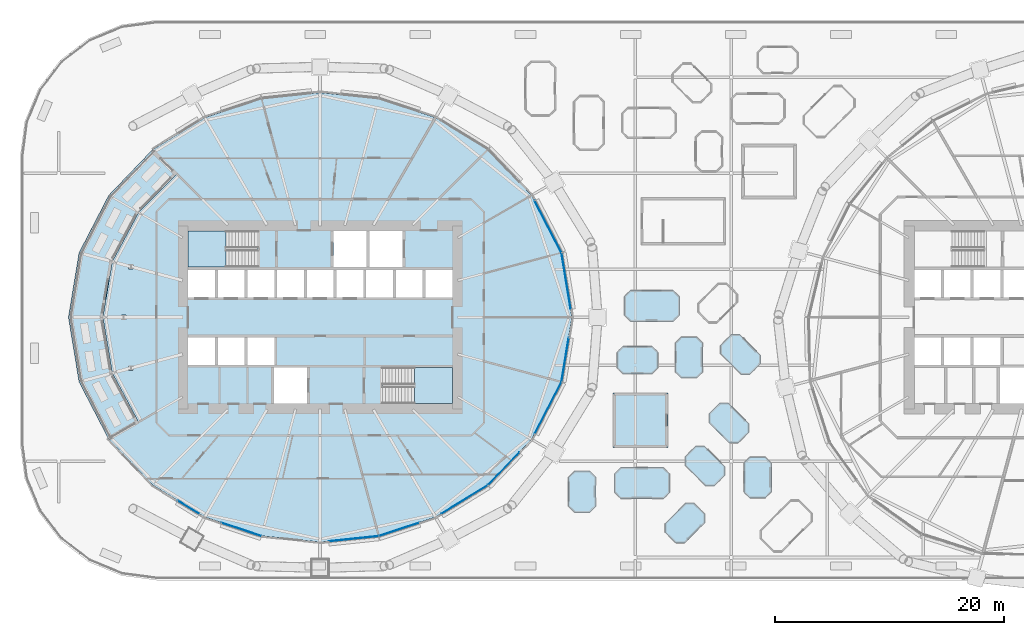
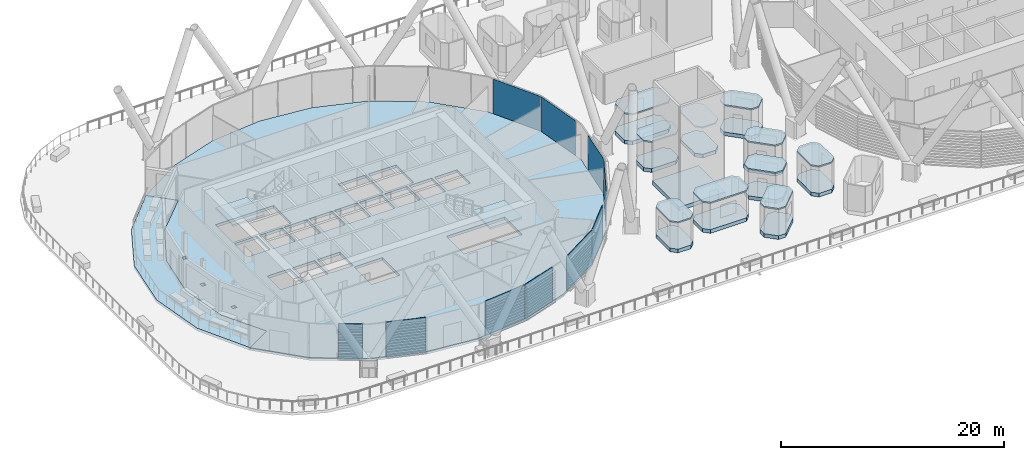
# One storey, part 21 of 47: 25 slabs, 10 plates, 3 elements without a shape of their own.
"""IFC4 building model written with IfcOpenShell, lengths in metres."""

from ifc_helpers import new_model, si_unit, direction, frame, origin, origin_2d, place, context, subcontext, project, spatial, polyline, rectangle, outline, extrude, material, layer, layer_set, type_object, element, aggregate, save


model = new_model("IFC4")

# Units and contexts
model_context = context("Model", 3, precision=1e-05, world=origin(), true_north=direction((0.0, 1.0)))
body_context = subcontext(model_context, "Body", "Model", "MODEL_VIEW")
ifc_project = project(units=[si_unit("LENGTHUNIT", "METRE"), si_unit("AREAUNIT", "SQUARE_METRE"), si_unit("VOLUMEUNIT", "CUBIC_METRE"), si_unit("PLANEANGLEUNIT", "RADIAN"), si_unit("MASSUNIT", "GRAM", prefix="KILO")], contexts=[model_context])

# Site, building, storey
site_placement = place(None, origin())
site = spatial("IfcSite", under=ifc_project, at=site_placement, CompositionType="ELEMENT")
building_placement = place(site_placement, origin())
building = spatial("IfcBuilding", under=site, at=building_placement, Name="Rimbun Link Towers", CompositionType="ELEMENT")
storey_placement = place(building_placement, frame((0.0, 0.0, 30.0)))
storey = spatial("IfcBuildingStorey", under=building, at=storey_placement, Name="L06", CompositionType="ELEMENT", Elevation=30.0)

# Slabs
ifc_material_1 = material(Name="Concrete C40/50", Category="concrete")
ifc_layer_1 = layer(ifc_material_1, 0.409912109375)
ifc_layer_set_1 = layer_set([ifc_layer_1], Name="CAPSULE plinth slab 410")
slab_type_1 = type_object("IfcSlabType", Name="CAPSULE plinth slab 410", PredefinedType="FLOOR", material=ifc_layer_set_1)
slab_1_placement = place(storey_placement, origin())
element("IfcSlab", 1, at=slab_1_placement, inside=storey, type_object=slab_type_1, Name="Service trunk 1 plinth slab", PredefinedType="FLOOR", context=body_context, shape_type="SweptSolid", body=[
    extrude(outline(polyline([(-6.14990234375, -11.39990234375), (-1.35009765625, -11.39990234375), (-1.35009765625, -6.60009765625), (-6.14990234375, -6.60009765625), (-6.14990234375, -11.39990234375)])), origin(), (0.0, 0.0, 1.0), 0.409912109375),
])
slab_2_placement = place(storey_placement, origin())
element("IfcSlab", 2, at=slab_2_placement, inside=storey, type_object=slab_type_1, Name="CAPSULE P01 floor panel", PredefinedType="FLOOR", context=body_context, shape_type="SweptSolid", body=[
    extrude(outline(polyline([(-1.199951171875, -13.67919921875), (-1.729248046875, -13.14990234375), (-5.470703125, -13.14990234375), (-6.0, -13.67919921875), (-6.0, -15.32080078125), (-5.470703125, -15.85009765625), (-1.729248046875, -15.85009765625), (-1.199951171875, -15.32080078125), (-1.199951171875, -13.67919921875)])), origin(), (0.0, 0.0, 1.0), 0.409912109375),
])
slab_3_placement = place(storey_placement, origin())
element("IfcSlab", 3, at=slab_3_placement, inside=storey, type_object=slab_type_1, Name="CAPSULE P02 floor panel", PredefinedType="FLOOR", context=body_context, shape_type="SweptSolid", body=[
    extrude(outline(polyline([(0.948486328125, -16.2529296875), (0.199951171875, -16.2529296875), (-1.59716796875, -18.050048828125), (-1.59716796875, -18.798583984375), (-0.6484375, -19.7470703125), (0.10009765625, -19.7470703125), (1.89697265625, -17.949951171875), (1.89697265625, -17.201416015625), (0.948486328125, -16.2529296875)])), origin(), (0.0, 0.0, 1.0), 0.409912109375),
])
slab_4_placement = place(storey_placement, origin())
element("IfcSlab", 4, at=slab_4_placement, inside=storey, type_object=slab_type_1, Name="CAPSULE P03 floor panel", PredefinedType="FLOOR", context=body_context, shape_type="SweptSolid", body=[
    extrude(outline(polyline([(-9.520751953125, -13.449951171875), (-10.050048828125, -13.979248046875), (-10.050048828125, -16.520751953125), (-9.520751953125, -17.050048828125), (-8.17919921875, -17.050048828125), (-7.64990234375, -16.520751953125), (-7.64990234375, -13.979248046875), (-8.17919921875, -13.449951171875), (-9.520751953125, -13.449951171875)])), origin(), (0.0, 0.0, 1.0), 0.409912109375),
])
slab_5_placement = place(storey_placement, origin())
element("IfcSlab", 5, at=slab_5_placement, inside=storey, type_object=slab_type_1, Name="CAPSULE P04 floor panel", PredefinedType="FLOOR", context=body_context, shape_type="SweptSolid", body=[
    extrude(outline(polyline([(0.15283203125, -12.201416015625), (0.15283203125, -12.949951171875), (1.949951171875, -14.7470703125), (2.698486328125, -14.7470703125), (3.64697265625, -13.798583984375), (3.64697265625, -13.050048828125), (1.85009765625, -11.2529296875), (1.1015625, -11.2529296875), (0.15283203125, -12.201416015625)])), origin(), (0.0, 0.0, 1.0), 0.409912109375),
])
slab_6_placement = place(storey_placement, origin())
element("IfcSlab", 6, at=slab_6_placement, inside=storey, type_object=slab_type_1, Name="CAPSULE P05 floor panel", PredefinedType="FLOOR", context=body_context, shape_type="SweptSolid", body=[
    extrude(outline(polyline([(-0.35009765625, 1.82080078125), (-0.87939453125, 2.35009765625), (-4.62060546875, 2.35009765625), (-5.14990234375, 1.82080078125), (-5.14990234375, 0.17919921875), (-4.62060546875, -0.35009765625), (-0.87939453125, -0.35009765625), (-0.35009765625, 0.17919921875), (-0.35009765625, 1.82080078125)])), origin(), (0.0, 0.0, 1.0), 0.409912109375),
])
slab_7_placement = place(storey_placement, origin())
element("IfcSlab", 7, at=slab_7_placement, inside=storey, type_object=slab_type_1, Name="CAPSULE P06 floor panel", PredefinedType="FLOOR", context=body_context, shape_type="SweptSolid", body=[
    extrude(outline(polyline([(-0.170654296875, -1.699951171875), (-0.699951171875, -2.229248046875), (-0.699951171875, -4.770751953125), (-0.170654296875, -5.300048828125), (1.170654296875, -5.300048828125), (1.699951171875, -4.770751953125), (1.699951171875, -2.229248046875), (1.170654296875, -1.699951171875), (-0.170654296875, -1.699951171875)])), origin(), (0.0, 0.0, 1.0), 0.409912109375),
])
slab_8_placement = place(storey_placement, origin())
element("IfcSlab", 8, at=slab_8_placement, inside=storey, type_object=slab_type_1, Name="CAPSULE P08 floor panel", PredefinedType="FLOOR", context=body_context, shape_type="SweptSolid", body=[
    extrude(outline(polyline([(3.2529296875, -2.451416015625), (3.2529296875, -3.199951171875), (5.050048828125, -4.9970703125), (5.798583984375, -4.9970703125), (6.7470703125, -4.048583984375), (6.7470703125, -3.300048828125), (4.949951171875, -1.5029296875), (4.201416015625, -1.5029296875), (3.2529296875, -2.451416015625)])), origin(), (0.0, 0.0, 1.0), 0.409912109375),
])
slab_9_placement = place(storey_placement, origin())
element("IfcSlab", 9, at=slab_9_placement, inside=storey, type_object=slab_type_1, Name="CAPSULE P11 floor panel", PredefinedType="FLOOR", context=body_context, shape_type="SweptSolid", body=[
    extrude(outline(polyline([(5.829345703125, -12.199951171875), (5.300048828125, -12.729248046875), (5.300048828125, -15.270751953125), (5.829345703125, -15.800048828125), (7.170654296875, -15.800048828125), (7.699951171875, -15.270751953125), (7.699951171875, -12.729248046875), (7.170654296875, -12.199951171875), (5.829345703125, -12.199951171875)])), origin(), (0.0, 0.0, 1.0), 0.409912109375),
])
slab_10_placement = place(storey_placement, origin())
element("IfcSlab", 10, at=slab_10_placement, inside=storey, type_object=slab_type_1, Name="CAPSULE P13 floor panel", PredefinedType="FLOOR", context=body_context, shape_type="SweptSolid", body=[
    extrude(outline(polyline([(2.2529296875, -8.451416015625), (2.2529296875, -9.199951171875), (4.050048828125, -10.9970703125), (4.798583984375, -10.9970703125), (5.7470703125, -10.048583984375), (5.7470703125, -9.300048828125), (3.949951171875, -7.5029296875), (3.201416015625, -7.5029296875), (2.2529296875, -8.451416015625)])), origin(), (0.0, 0.0, 1.0), 0.409912109375),
])
slab_11_placement = place(storey_placement, origin())
element("IfcSlab", 11, at=slab_11_placement, inside=storey, type_object=slab_type_1, Name="CAPSULE P14 floor panel", PredefinedType="FLOOR", context=body_context, shape_type="SweptSolid", body=[
    extrude(outline(polyline([(-2.199951171875, -3.079345703125), (-2.729248046875, -2.550048828125), (-5.270751953125, -2.550048828125), (-5.800048828125, -3.079345703125), (-5.800048828125, -4.420654296875), (-5.270751953125, -4.949951171875), (-2.729248046875, -4.949951171875), (-2.199951171875, -4.420654296875), (-2.199951171875, -3.079345703125)])), origin(), (0.0, 0.0, 1.0), 0.409912109375),
])
ifc_material_2 = material(Name="Insulated metal roof panel with terracotta fascia", Category="masonry")
ifc_layer_2 = layer(ifc_material_2, 0.14990234375)
ifc_layer_set_2 = layer_set([ifc_layer_2], Name="CAPSULE roof panel 150")
slab_type_2 = type_object("IfcSlabType", Name="CAPSULE roof panel 150", PredefinedType="ROOF", material=ifc_layer_set_2)
slab_12_placement = place(storey_placement, frame((0.0, 0.0, 3.260009765625)))
element("IfcSlab", 12, at=slab_12_placement, inside=storey, type_object=slab_type_2, Name="CAPSULE P01 roof panel", PredefinedType="ROOF", context=body_context, shape_type="SweptSolid", body=[
    extrude(outline(polyline([(-1.199951171875, -13.67919921875), (-1.729248046875, -13.14990234375), (-5.470703125, -13.14990234375), (-6.0, -13.67919921875), (-6.0, -15.32080078125), (-5.470703125, -15.85009765625), (-1.729248046875, -15.85009765625), (-1.199951171875, -15.32080078125), (-1.199951171875, -13.67919921875)])), origin(), (0.0, 0.0, 1.0), 0.14990234375),
])
slab_13_placement = place(storey_placement, frame((0.0, 0.0, 3.260009765625)))
element("IfcSlab", 13, at=slab_13_placement, inside=storey, type_object=slab_type_2, Name="CAPSULE P02 roof panel", PredefinedType="ROOF", context=body_context, shape_type="SweptSolid", body=[
    extrude(outline(polyline([(0.948486328125, -16.2529296875), (0.199951171875, -16.2529296875), (-1.59716796875, -18.050048828125), (-1.59716796875, -18.798583984375), (-0.6484375, -19.7470703125), (0.10009765625, -19.7470703125), (1.89697265625, -17.949951171875), (1.89697265625, -17.201416015625), (0.948486328125, -16.2529296875)])), origin(), (0.0, 0.0, 1.0), 0.14990234375),
])
slab_14_placement = place(storey_placement, frame((0.0, 0.0, 3.260009765625)))
element("IfcSlab", 14, at=slab_14_placement, inside=storey, type_object=slab_type_2, Name="CAPSULE P03 roof panel", PredefinedType="ROOF", context=body_context, shape_type="SweptSolid", body=[
    extrude(outline(polyline([(-9.520751953125, -13.449951171875), (-10.050048828125, -13.979248046875), (-10.050048828125, -16.520751953125), (-9.520751953125, -17.050048828125), (-8.17919921875, -17.050048828125), (-7.64990234375, -16.520751953125), (-7.64990234375, -13.979248046875), (-8.17919921875, -13.449951171875), (-9.520751953125, -13.449951171875)])), origin(), (0.0, 0.0, 1.0), 0.14990234375),
])
slab_15_placement = place(storey_placement, frame((0.0, 0.0, 3.260009765625)))
element("IfcSlab", 15, at=slab_15_placement, inside=storey, type_object=slab_type_2, Name="CAPSULE P04 roof panel", PredefinedType="ROOF", context=body_context, shape_type="SweptSolid", body=[
    extrude(outline(polyline([(0.15283203125, -12.201416015625), (0.15283203125, -12.949951171875), (1.949951171875, -14.7470703125), (2.698486328125, -14.7470703125), (3.64697265625, -13.798583984375), (3.64697265625, -13.050048828125), (1.85009765625, -11.2529296875), (1.1015625, -11.2529296875), (0.15283203125, -12.201416015625)])), origin(), (0.0, 0.0, 1.0), 0.14990234375),
])
slab_16_placement = place(storey_placement, frame((0.0, 0.0, 3.260009765625)))
element("IfcSlab", 16, at=slab_16_placement, inside=storey, type_object=slab_type_2, Name="CAPSULE P05 roof panel", PredefinedType="ROOF", context=body_context, shape_type="SweptSolid", body=[
    extrude(outline(polyline([(-0.35009765625, 1.82080078125), (-0.87939453125, 2.35009765625), (-4.62060546875, 2.35009765625), (-5.14990234375, 1.82080078125), (-5.14990234375, 0.17919921875), (-4.62060546875, -0.35009765625), (-0.87939453125, -0.35009765625), (-0.35009765625, 0.17919921875), (-0.35009765625, 1.82080078125)])), origin(), (0.0, 0.0, 1.0), 0.14990234375),
])
slab_17_placement = place(storey_placement, frame((0.0, 0.0, 3.260009765625)))
element("IfcSlab", 17, at=slab_17_placement, inside=storey, type_object=slab_type_2, Name="CAPSULE P06 roof panel", PredefinedType="ROOF", context=body_context, shape_type="SweptSolid", body=[
    extrude(outline(polyline([(-0.170654296875, -1.699951171875), (-0.699951171875, -2.229248046875), (-0.699951171875, -4.770751953125), (-0.170654296875, -5.300048828125), (1.170654296875, -5.300048828125), (1.699951171875, -4.770751953125), (1.699951171875, -2.229248046875), (1.170654296875, -1.699951171875), (-0.170654296875, -1.699951171875)])), origin(), (0.0, 0.0, 1.0), 0.14990234375),
])
slab_18_placement = place(storey_placement, frame((0.0, 0.0, 3.260009765625)))
element("IfcSlab", 18, at=slab_18_placement, inside=storey, type_object=slab_type_2, Name="CAPSULE P08 roof panel", PredefinedType="ROOF", context=body_context, shape_type="SweptSolid", body=[
    extrude(outline(polyline([(3.2529296875, -2.451416015625), (3.2529296875, -3.199951171875), (5.050048828125, -4.9970703125), (5.798583984375, -4.9970703125), (6.7470703125, -4.048583984375), (6.7470703125, -3.300048828125), (4.949951171875, -1.5029296875), (4.201416015625, -1.5029296875), (3.2529296875, -2.451416015625)])), origin(), (0.0, 0.0, 1.0), 0.14990234375),
])
slab_19_placement = place(storey_placement, frame((0.0, 0.0, 3.260009765625)))
element("IfcSlab", 19, at=slab_19_placement, inside=storey, type_object=slab_type_2, Name="CAPSULE P11 roof panel", PredefinedType="ROOF", context=body_context, shape_type="SweptSolid", body=[
    extrude(outline(polyline([(5.829345703125, -12.199951171875), (5.300048828125, -12.729248046875), (5.300048828125, -15.270751953125), (5.829345703125, -15.800048828125), (7.170654296875, -15.800048828125), (7.699951171875, -15.270751953125), (7.699951171875, -12.729248046875), (7.170654296875, -12.199951171875), (5.829345703125, -12.199951171875)])), origin(), (0.0, 0.0, 1.0), 0.14990234375),
])
slab_20_placement = place(storey_placement, frame((0.0, 0.0, 3.260009765625)))
element("IfcSlab", 20, at=slab_20_placement, inside=storey, type_object=slab_type_2, Name="CAPSULE P13 roof panel", PredefinedType="ROOF", context=body_context, shape_type="SweptSolid", body=[
    extrude(outline(polyline([(2.2529296875, -8.451416015625), (2.2529296875, -9.199951171875), (4.050048828125, -10.9970703125), (4.798583984375, -10.9970703125), (5.7470703125, -10.048583984375), (5.7470703125, -9.300048828125), (3.949951171875, -7.5029296875), (3.201416015625, -7.5029296875), (2.2529296875, -8.451416015625)])), origin(), (0.0, 0.0, 1.0), 0.14990234375),
])
slab_21_placement = place(storey_placement, frame((0.0, 0.0, 3.260009765625)))
element("IfcSlab", 21, at=slab_21_placement, inside=storey, type_object=slab_type_2, Name="CAPSULE P14 roof panel", PredefinedType="ROOF", context=body_context, shape_type="SweptSolid", body=[
    extrude(outline(polyline([(-2.199951171875, -3.079345703125), (-2.729248046875, -2.550048828125), (-5.270751953125, -2.550048828125), (-5.800048828125, -3.079345703125), (-5.800048828125, -4.420654296875), (-5.270751953125, -4.949951171875), (-2.729248046875, -4.949951171875), (-2.199951171875, -4.420654296875), (-2.199951171875, -3.079345703125)])), origin(), (0.0, 0.0, 1.0), 0.14990234375),
])
ifc_material_3 = material(Name="Concrete C35/45", Category="concrete")
ifc_layer_3 = layer(ifc_material_3, 0.300048828125)
ifc_layer_set_3 = layer_set([ifc_layer_3], Name="COMPOSITE FLOOR 300")
slab_type_3 = type_object("IfcSlabType", Name="COMPOSITE FLOOR 300", PredefinedType="FLOOR", material=ifc_layer_set_3)
slab_22_placement = place(storey_placement, frame((0.0, 0.0, -0.300048828125)))
element("IfcSlab", 22, at=slab_22_placement, inside=storey, type_object=slab_type_3, Name="Floor slab T1 L06", PredefinedType="FLOOR", context=body_context, shape_type="SweptSolid", body=[
    extrude(outline(polyline([(-41.836181640625, 17.469482421875), (-36.871826171875, 19.11474609375), (-31.75, 19.654296875), (-26.628173828125, 19.11474609375), (-21.663818359375, 17.469482421875), (-17.089111328125, 14.660888671875), (-13.26513671875, 10.672119140625), (-10.666259765625, 5.6494140625), (-9.7373046875, 0.0), (-10.666259765625, -5.6494140625), (-13.26513671875, -10.672119140625), (-17.089111328125, -14.660888671875), (-21.663818359375, -17.469482421875), (-26.628173828125, -19.11474609375), (-31.75, -19.654296875), (-36.871826171875, -19.11474609375), (-41.836181640625, -17.469482421875), (-46.410888671875, -14.660888671875), (-50.23486328125, -10.672119140625), (-47.63671875, -9.172119140625), (-49.935791015625, -4.872802734375), (-50.7626953125, 0.0), (-49.935791015625, 4.872802734375), (-47.63671875, 9.172119140625), (-44.28955078125, 12.53955078125), (-46.410888671875, 14.660888671875), (-41.836181640625, 17.469482421875)]), holes=[polyline([(-48.103759765625, -4.632080078125), (-48.103759765625, -4.238525390625), (-48.502685546875, -4.238525390625), (-48.502685546875, -4.632080078125), (-48.103759765625, -4.632080078125)]), polyline([(-40.95556640625, -4.14990234375), (-40.95556640625, -1.75), (-43.300048828125, -1.75), (-43.300048828125, -4.14990234375), (-40.95556640625, -4.14990234375)]), polyline([(-38.361083984375, -4.14990234375), (-38.361083984375, -1.75), (-40.70556640625, -1.75), (-40.70556640625, -4.14990234375), (-38.361083984375, -4.14990234375)]), polyline([(-38.111083984375, -4.14990234375), (-35.7666015625, -4.14990234375), (-35.7666015625, -1.75), (-38.111083984375, -1.75), (-38.111083984375, -4.14990234375)]), polyline([(-49.14501953125, -0.19677734375), (-48.74609375, -0.19677734375), (-48.74609375, 0.19677734375), (-49.14501953125, 0.19677734375), (-49.14501953125, -0.19677734375)]), polyline([(-40.95556640625, 1.75), (-40.95556640625, 4.14990234375), (-43.300048828125, 4.14990234375), (-43.300048828125, 1.75), (-40.95556640625, 1.75)]), polyline([(-38.361083984375, 1.75), (-38.361083984375, 4.14990234375), (-40.70556640625, 4.14990234375), (-40.70556640625, 1.75), (-38.361083984375, 1.75)]), polyline([(-35.7666015625, 1.75), (-35.7666015625, 4.14990234375), (-38.111083984375, 4.14990234375), (-38.111083984375, 1.75), (-35.7666015625, 1.75)]), polyline([(-48.502685546875, 4.238525390625), (-48.103759765625, 4.238525390625), (-48.103759765625, 4.632080078125), (-48.502685546875, 4.632080078125), (-48.502685546875, 4.238525390625)]), polyline([(-43.300048828125, 4.39990234375), (-37.260009765625, 4.39990234375), (-37.260009765625, 7.550048828125), (-43.300048828125, 7.550048828125), (-43.300048828125, 4.39990234375)]), polyline([(-32.89990234375, -7.550048828125), (-32.89990234375, -4.39990234375), (-35.800048828125, -4.39990234375), (-35.800048828125, -7.550048828125), (-32.89990234375, -7.550048828125)]), polyline([(-20.199951171875, -7.550048828125), (-20.199951171875, -4.39990234375), (-26.239990234375, -4.39990234375), (-26.239990234375, -7.550048828125), (-20.199951171875, -7.550048828125)]), polyline([(-33.172119140625, 1.75), (-33.172119140625, 4.14990234375), (-35.5166015625, 4.14990234375), (-35.5166015625, 1.75), (-33.172119140625, 1.75)]), polyline([(-32.922119140625, 1.75), (-30.577880859375, 1.75), (-30.577880859375, 4.14990234375), (-32.922119140625, 4.14990234375), (-32.922119140625, 1.75)]), polyline([(-30.327880859375, 1.75), (-27.9833984375, 1.75), (-27.9833984375, 4.14990234375), (-30.327880859375, 4.14990234375), (-30.327880859375, 1.75)]), polyline([(-25.388916015625, 1.75), (-25.388916015625, 4.14990234375), (-27.7333984375, 4.14990234375), (-27.7333984375, 1.75), (-25.388916015625, 1.75)]), polyline([(-22.79443359375, 1.75), (-22.79443359375, 4.14990234375), (-25.138916015625, 4.14990234375), (-25.138916015625, 1.75), (-22.79443359375, 1.75)]), polyline([(-20.199951171875, 1.75), (-20.199951171875, 4.14990234375), (-22.54443359375, 4.14990234375), (-22.54443359375, 1.75), (-20.199951171875, 1.75)]), polyline([(-30.60009765625, 4.39990234375), (-27.699951171875, 4.39990234375), (-27.699951171875, 7.550048828125), (-30.60009765625, 7.550048828125), (-30.60009765625, 4.39990234375)]), polyline([(-27.449951171875, 4.39990234375), (-24.550048828125, 4.39990234375), (-24.550048828125, 7.550048828125), (-27.449951171875, 7.550048828125), (-27.449951171875, 4.39990234375)])]), origin(), (0.0, 0.0, 1.0), 0.300048828125),
])

# Curtain wall, plates
ifc_material_4 = material(Name="Aluminium 6063-T6 and low-iron glass", Category="aluminium")
curtain_wall_type = type_object("IfcCurtainWallType", Name="CW1 unitised vision wall", PredefinedType="NOTDEFINED", material=ifc_material_4)
curtain_wall_placement = place(storey_placement, origin())
curtain_wall = element("IfcCurtainWall", 23, at=curtain_wall_placement, inside=storey, type_object=curtain_wall_type, Name="CW1 L06 T1", PredefinedType="NOTDEFINED")
ifc_material_5 = material(Name="Low-iron glass, laminated low-e unit", Category="glass")
ifc_layer_4 = layer(ifc_material_5, 0.028076171875)
ifc_layer_set_4 = layer_set([ifc_layer_4], Name="CW1 panel Low-iron glass 28")
plate_type = type_object("IfcPlateType", Name="CW1 panel Low-iron glass 28", PredefinedType="CURTAIN_PANEL", material=ifc_layer_set_4)
plate_1_placement = place(storey_placement, frame((-10.244873046875, 3.17236328125, 0.0), z_axis=(0.0, 0.0, 1.0), x_axis=(0.162262978927, -0.986747549108, 0.0)))
plate_1 = element("IfcPlate", 24, at=plate_1_placement, type_object=plate_type, Name="CW1 panel", PredefinedType="CURTAIN_PANEL", context=body_context, shape_type="SweptSolid", body=[
    extrude(rectangle(XDim=4.9853515625, YDim=0.028076171875, at=origin_2d()), origin(), (0.0, 0.0, 1.0), 3.800048828125),
])
plate_2_placement = place(storey_placement, frame((-11.826904296875, 7.923095703125, 0.0), z_axis=(0.0, 0.0, 1.0), x_axis=(0.459548466118, -0.888152693678, 0.0)))
plate_2 = element("IfcPlate", 25, at=plate_2_placement, type_object=plate_type, Name="CW1 panel", PredefinedType="CURTAIN_PANEL", context=body_context, shape_type="SweptSolid", body=[
    extrude(rectangle(XDim=5.0654296875, YDim=0.028076171875, at=origin_2d()), origin(), (0.0, 0.0, 1.0), 3.800048828125),
])
plate_3_placement = place(storey_placement, frame((-43.25732421875, -16.613525390625, 0.0), z_axis=(0.0, 0.0, 1.0), x_axis=(-0.85219002421, 0.523232417417, 0.0)))
plate_3 = element("IfcPlate", 26, at=plate_3_placement, type_object=plate_type, Name="CW1 panel", PredefinedType="CURTAIN_PANEL", context=body_context, shape_type="SweptSolid", body=[
    extrude(rectangle(XDim=2.17822265625, YDim=0.028076171875, at=origin_2d()), origin(), (0.0, 0.0, 1.0), 3.800048828125),
])
plate_4_placement = place(storey_placement, frame((-38.622802734375, -18.54931640625, 0.0), z_axis=(0.0, 0.0, 1.0), x_axis=(-0.949236355837, 0.314563730837, 0.0)))
plate_4 = element("IfcPlate", 27, at=plate_4_placement, type_object=plate_type, Name="CW1 panel", PredefinedType="CURTAIN_PANEL", context=body_context, shape_type="SweptSolid", body=[
    extrude(rectangle(XDim=3.639892578125, YDim=0.028076171875, at=origin_2d()), origin(), (0.0, 0.0, 1.0), 3.800048828125),
])
plate_5_placement = place(storey_placement, frame((-28.814697265625, -19.359130859375, 0.0), z_axis=(0.0, 0.0, 1.0), x_axis=(-0.994498109267, -0.104754525743, 0.0)))
plate_5 = element("IfcPlate", 28, at=plate_5_placement, type_object=plate_type, Name="CW1 panel", PredefinedType="CURTAIN_PANEL", context=body_context, shape_type="SweptSolid", body=[
    extrude(rectangle(XDim=4.360107421875, YDim=0.028076171875, at=origin_2d()), origin(), (0.0, 0.0, 1.0), 3.800048828125),
])
plate_6_placement = place(storey_placement, frame((-24.853515625, -18.541259765625, 0.0), z_axis=(0.0, 0.0, 1.0), x_axis=(-0.949236355837, -0.314563730837, 0.0)))
plate_6 = element("IfcPlate", 29, at=plate_6_placement, type_object=plate_type, Name="CW1 panel", PredefinedType="CURTAIN_PANEL", context=body_context, shape_type="SweptSolid", body=[
    extrude(rectangle(XDim=3.689697265625, YDim=0.028076171875, at=origin_2d()), origin(), (0.0, 0.0, 1.0), 3.800048828125),
])
plate_7_placement = place(storey_placement, frame((-19.134765625, -15.933349609375, 0.0), z_axis=(0.0, 0.0, 1.0), x_axis=(-0.85219002421, -0.523232417417, 0.0)))
plate_7 = element("IfcPlate", 30, at=plate_7_placement, type_object=plate_type, Name="CW1 panel", PredefinedType="CURTAIN_PANEL", context=body_context, shape_type="SweptSolid", body=[
    extrude(rectangle(XDim=4.778076171875, YDim=0.028076171875, at=origin_2d()), origin(), (0.0, 0.0, 1.0), 3.800048828125),
])
plate_8_placement = place(storey_placement, frame((-15.703369140625, -13.235595703125, 0.0), z_axis=(0.0, 0.0, 1.0), x_axis=(-0.692055501744, -0.721844292424, 0.0)))
plate_8 = element("IfcPlate", 31, at=plate_8_placement, type_object=plate_type, Name="CW1 panel", PredefinedType="CURTAIN_PANEL", context=body_context, shape_type="SweptSolid", body=[
    extrude(rectangle(XDim=3.935546875, YDim=0.028076171875, at=origin_2d()), origin(), (0.0, 0.0, 1.0), 3.800048828125),
])
plate_9_placement = place(storey_placement, frame((-11.826904296875, -7.923095703125, 0.0), z_axis=(0.0, 0.0, 1.0), x_axis=(-0.459548466118, -0.888152693678, 0.0)))
plate_9 = element("IfcPlate", 32, at=plate_9_placement, type_object=plate_type, Name="CW1 panel", PredefinedType="CURTAIN_PANEL", context=body_context, shape_type="SweptSolid", body=[
    extrude(rectangle(XDim=5.0654296875, YDim=0.028076171875, at=origin_2d()), origin(), (0.0, 0.0, 1.0), 3.800048828125),
])
plate_10_placement = place(storey_placement, frame((-10.333984375, -3.715087890625, 0.0), z_axis=(0.0, 0.0, 1.0), x_axis=(-0.162262978927, -0.986747549108, 0.0)))
plate_10 = element("IfcPlate", 33, at=plate_10_placement, type_object=plate_type, Name="CW1 panel", PredefinedType="CURTAIN_PANEL", context=body_context, shape_type="SweptSolid", body=[
    extrude(rectangle(XDim=3.88525390625, YDim=0.028076171875, at=origin_2d()), origin(), (0.0, 0.0, 1.0), 3.800048828125),
])
aggregate(curtain_wall, [plate_1, plate_2, plate_3, plate_4, plate_5, plate_6, plate_7, plate_8, plate_9, plate_10])

# Stair, slab
ifc_material_6 = material(Name="Concrete C40/50", Category="concrete")
stair_type = type_object("IfcStairType", Name="Exit stair 3800 rise", PredefinedType="HALF_TURN_STAIR", material=ifc_material_6)
stair_1_placement = place(storey_placement, origin())
stair_1 = element("IfcStair", 34, at=stair_1_placement, inside=storey, type_object=stair_type, Name="L06 EXIT STAIR A", PredefinedType="HALF_TURN_STAIR")
ifc_material_7 = material(Name="Concrete C40/50", Category="concrete")
ifc_layer_5 = layer(ifc_material_7, 0.199951171875)
ifc_layer_set_5 = layer_set([ifc_layer_5], Name="Stair landing")
slab_type_4 = type_object("IfcSlabType", Name="Stair landing", PredefinedType="LANDING", material=ifc_layer_set_5)
slab_23_placement = place(storey_placement, frame((0.0, 0.0, 1.699951171875)))
slab_23 = element("IfcSlab", 35, at=slab_23_placement, type_object=slab_type_4, Name="ST1 landing 1", PredefinedType="LANDING", context=body_context, shape_type="SweptSolid", body=[
    extrude(outline(polyline([(-40.0, 7.550048828125), (-43.300048828125, 7.550048828125), (-43.300048828125, 4.39990234375), (-40.0, 4.39990234375), (-40.0, 7.550048828125)])), origin(), (0.0, 0.0, 1.0), 0.199951171875),
])
aggregate(stair_1, [slab_23])

stair_2_placement = place(storey_placement, origin())
stair_2 = element("IfcStair", 36, at=stair_2_placement, inside=storey, type_object=stair_type, Name="L06 EXIT STAIR B", PredefinedType="HALF_TURN_STAIR")
slab_24_placement = place(storey_placement, frame((0.0, 0.0, 1.699951171875)))
slab_24 = element("IfcSlab", 37, at=slab_24_placement, type_object=slab_type_4, Name="ST2 landing 1", PredefinedType="LANDING", context=body_context, shape_type="SweptSolid", body=[
    extrude(outline(polyline([(-23.5, -7.550048828125), (-20.199951171875, -7.550048828125), (-20.199951171875, -4.39990234375), (-23.5, -4.39990234375), (-23.5, -7.550048828125)])), origin(), (0.0, 0.0, 1.0), 0.199951171875),
])
aggregate(stair_2, [slab_24])

# Slab
ifc_material_8 = material(Name="Concrete C35/45", Category="concrete")
ifc_layer_6 = layer(ifc_material_8, 0.300048828125)
ifc_layer_set_6 = layer_set([ifc_layer_6], Name="TERRACE SLAB 300")
slab_type_5 = type_object("IfcSlabType", Name="TERRACE SLAB 300", PredefinedType="FLOOR", material=ifc_layer_set_6)
slab_25_placement = place(storey_placement, frame((0.0, 0.0, -0.300048828125)))
element("IfcSlab", 38, at=slab_25_placement, inside=storey, type_object=slab_type_5, Name="Terrace slab T1 L06", PredefinedType="FLOOR", context=body_context, shape_type="SweptSolid", body=[
    extrude(outline(polyline([(-44.28955078125, 12.53955078125), (-47.63671875, 9.172119140625), (-49.935791015625, 4.872802734375), (-50.7626953125, 0.0), (-49.935791015625, -4.872802734375), (-47.63671875, -9.172119140625), (-50.23486328125, -10.672119140625), (-52.833740234375, -5.6494140625), (-53.7626953125, 0.0), (-52.833740234375, 5.6494140625), (-50.23486328125, 10.672119140625), (-46.410888671875, 14.660888671875), (-44.28955078125, 12.53955078125)])), origin(), (0.0, 0.0, 1.0), 0.300048828125),
])

save(model, "model.ifc")
